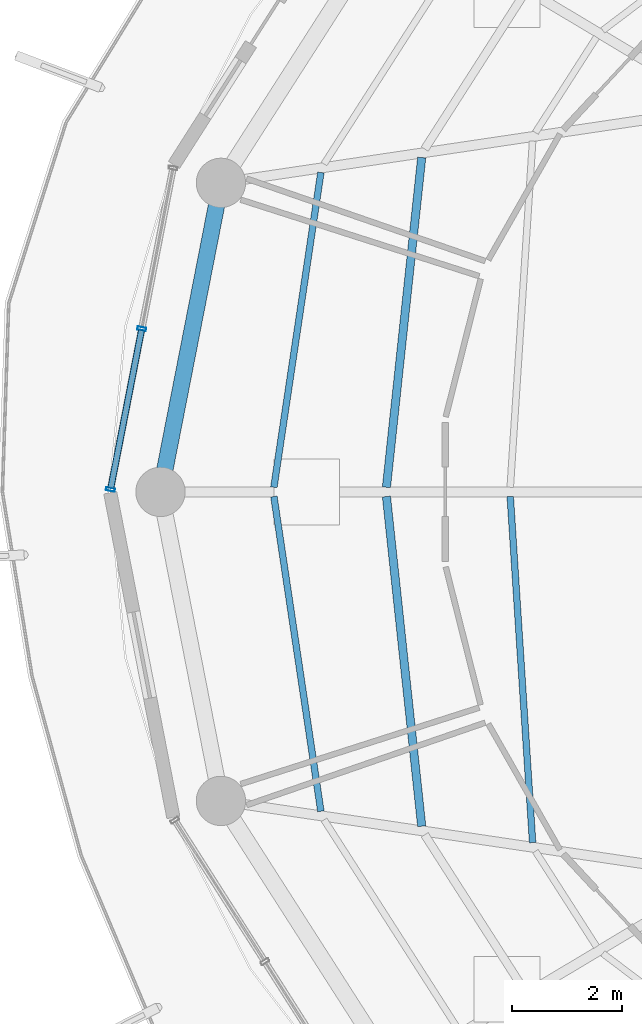
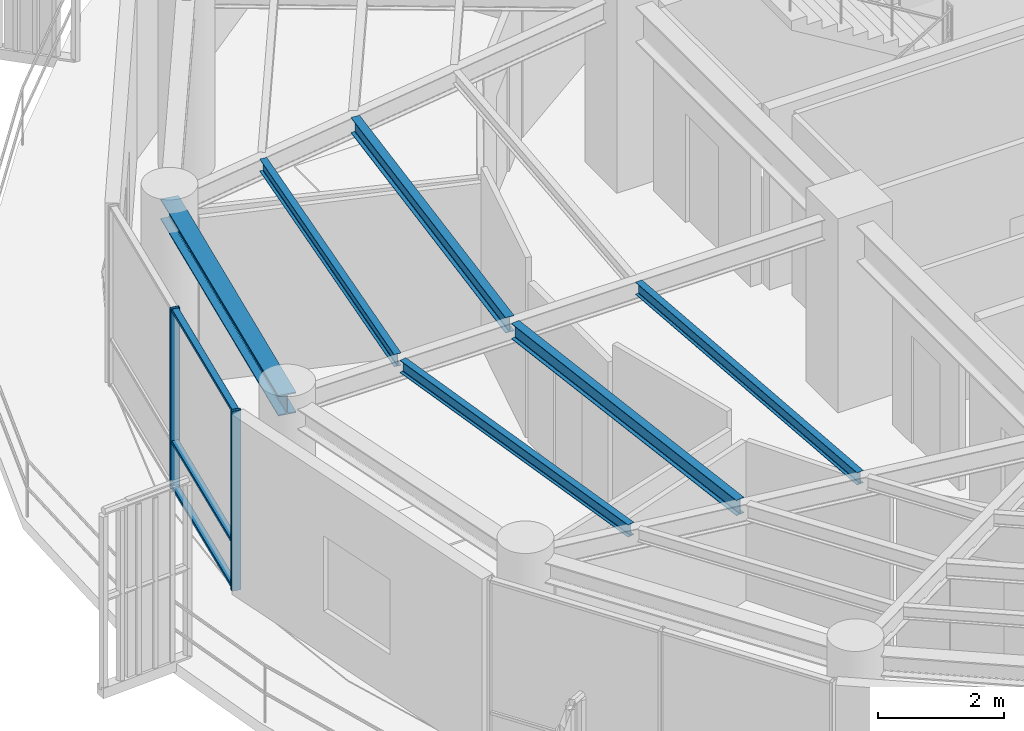
# One storey, part 6 of 23: 6 beams, 5 members, 1 element without a shape of its own.
"""IFC4 building model written with IfcOpenShell, lengths in metres."""

from ifc_helpers import new_model, si_unit, direction, frame, origin, origin_2d, place, context, subcontext, project, spatial, hollow_rectangle, i_section, extrude, material, layer, layer_set, material_profile, profile_set, type_object, element, aggregate, save


model = new_model("IFC4")

# Units and contexts
model_context = context("Model", 3, precision=1e-05, world=origin(), true_north=direction((0.0, 1.0)))
body_context = subcontext(model_context, "Body", "Model", "MODEL_VIEW")
ifc_project = project(units=[si_unit("LENGTHUNIT", "METRE"), si_unit("AREAUNIT", "SQUARE_METRE"), si_unit("VOLUMEUNIT", "CUBIC_METRE"), si_unit("PLANEANGLEUNIT", "RADIAN"), si_unit("MASSUNIT", "GRAM", prefix="KILO")], contexts=[model_context])

# Site, building, storey
site_placement = place(None, origin())
site = spatial("IfcSite", under=ifc_project, at=site_placement, CompositionType="ELEMENT")
building_placement = place(site_placement, origin())
building = spatial("IfcBuilding", under=site, at=building_placement, Name="Kelanora Arch Commons", CompositionType="ELEMENT")
storey_placement = place(building_placement, frame((0.0, 0.0, 256.199951171875)))
storey = spatial("IfcBuildingStorey", under=building, at=storey_placement, Name="L65", CompositionType="ELEMENT", Elevation=256.199951171875)

# Beams
ifc_material_1 = material(Name="Steel S355", Category="steel")
ifc_material_profile_1 = material_profile(ifc_material_1, i_section(OverallWidth=0.14990234375, OverallDepth=0.300048828125, WebThickness=0.007080078125, FlangeThickness=0.0107421875, FilletRadius=0.014892578125, at=origin_2d()), Name="IPE300")
ifc_profile_set_1 = profile_set([ifc_material_profile_1], Name="Steel S355")
beam_type_1 = type_object("IfcBeamType", Name="BM-JST-01", PredefinedType="JOIST", material=ifc_profile_set_1)
for number, where, z_axis, x_axis, name in (
    (1, (60.484375, 64.097412109375, 3.340087890625), (-0.106380594087, -0.994325484538, 0.0), (0.994325484538, -0.106380594087, 0.0), "Secondary Chord Joist BJB-16 L65"),
    (2, (59.841064453125, 57.91552734375, 3.340087890625), (0.106380594087, -0.994325484538, 0.0), (0.994325484538, 0.106380594087, 0.0), "Secondary Chord Joist BJB-18 L65"),
):
    element("IfcBeam", number, at=place(storey_placement, frame(where, z_axis=z_axis, x_axis=x_axis)), inside=storey, type_object=beam_type_1, Name=name, PredefinedType="JOIST", context=body_context, shape_type="SweptSolid", body=[
        extrude(i_section(OverallWidth=0.14990234375, OverallDepth=0.300048828125, WebThickness=0.007080078125, FlangeThickness=0.0107421875, FilletRadius=0.014892578125, at=origin_2d()), origin(), (0.0, 0.0, 1.0), 6.04736328125),
    ])
ifc_material_profile_2 = material_profile(ifc_material_1, i_section(OverallWidth=0.1201171875, OverallDepth=0.239990234375, WebThickness=0.006103515625, FlangeThickness=0.009765625, FilletRadius=0.014892578125, at=origin_2d()), Name="IPE240")
ifc_profile_set_2 = profile_set([ifc_material_profile_2], Name="Steel S355")
beam_type_2 = type_object("IfcBeamType", Name="BM-JST-02", PredefinedType="JOIST", material=ifc_profile_set_2)
beam_1_placement = place(storey_placement, frame((58.6455078125, 63.8251953125, 3.3701171875), z_axis=(-0.14762470282, -0.989043450571, 0.0), x_axis=(0.989043450571, -0.14762470282, 0.0)))
element("IfcBeam", 3, at=beam_1_placement, inside=storey, type_object=beam_type_2, Name="Secondary Chord Joist BJC-16 L65", PredefinedType="JOIST", context=body_context, shape_type="SweptSolid", body=[
    extrude(i_section(OverallWidth=0.1201171875, OverallDepth=0.239990234375, WebThickness=0.006103515625, FlangeThickness=0.009765625, FilletRadius=0.014892578125, at=origin_2d()), origin(), (0.0, 0.0, 1.0), 5.804931640625),
])
beam_2_placement = place(storey_placement, frame((62.09912109375, 57.915283203125, 3.3701171875), z_axis=(0.064495107978, -0.99791802321, 0.0), x_axis=(0.99791802321, 0.064495107978, 0.0)))
element("IfcBeam", 4, at=beam_2_placement, inside=storey, type_object=beam_type_2, Name="Secondary Chord Joist BJA-18 L65", PredefinedType="JOIST", context=body_context, shape_type="SweptSolid", body=[
    extrude(i_section(OverallWidth=0.1201171875, OverallDepth=0.239990234375, WebThickness=0.006103515625, FlangeThickness=0.009765625, FilletRadius=0.014892578125, at=origin_2d()), origin(), (0.0, 0.0, 1.0), 6.325439453125),
])
beam_3_placement = place(storey_placement, frame((57.78857421875, 57.916015625, 3.3701171875), z_axis=(0.14762470282, -0.989043450571, 0.0), x_axis=(0.989043450571, 0.14762470282, 0.0)))
element("IfcBeam", 5, at=beam_3_placement, inside=storey, type_object=beam_type_2, Name="Secondary Chord Joist BJC-18 L65", PredefinedType="JOIST", context=body_context, shape_type="SweptSolid", body=[
    extrude(i_section(OverallWidth=0.1201171875, OverallDepth=0.239990234375, WebThickness=0.006103515625, FlangeThickness=0.009765625, FilletRadius=0.014892578125, at=origin_2d()), origin(), (0.0, 0.0, 1.0), 5.804931640625),
])
ifc_material_profile_3 = material_profile(ifc_material_1, i_section(OverallWidth=0.300048828125, OverallDepth=0.39990234375, WebThickness=0.013427734375, FlangeThickness=0.02392578125, FilletRadius=0.027099609375, at=origin_2d()), Name="HEB400")
ifc_profile_set_3 = profile_set([ifc_material_profile_3], Name="Steel S355")
beam_type_3 = type_object("IfcBeamType", Name="BM-SPN-Z4", PredefinedType="SPANDREL", material=ifc_profile_set_3)
beam_4_placement = place(storey_placement, frame((56.822509765625, 63.636474609375, 3.2900390625), z_axis=(-0.191969774604, -0.981400838413, 0.0), x_axis=(0.981400838413, -0.191969774604, 0.0)))
element("IfcBeam", 6, at=beam_4_placement, inside=storey, type_object=beam_type_3, Name="Perimeter Spandrel Beam BS-16 L65", PredefinedType="SPANDREL", context=body_context, shape_type="SweptSolid", body=[
    extrude(i_section(OverallWidth=0.300048828125, OverallDepth=0.39990234375, WebThickness=0.013427734375, FlangeThickness=0.02392578125, FilletRadius=0.027099609375, at=origin_2d()), origin(), (0.0, 0.0, 1.0), 5.743408203125),
])

# Curtain wall, members
ifc_material_2 = material(Name="Terracotta ceramic-fritted low-E glass and aluminium", Category="masonry")
ifc_layer = layer(ifc_material_2, 0.18994140625)
ifc_layer_set = layer_set([ifc_layer], Name="Terracotta ceramic-fritted low-E glass and aluminium")
curtain_wall_type = type_object("IfcCurtainWallType", Name="CW-SYS-03", PredefinedType="NOTDEFINED", material=ifc_layer_set)
curtain_wall_placement = place(storey_placement, origin())
curtain_wall = element("IfcCurtainWall", 7, at=curtain_wall_placement, inside=storey, type_object=curtain_wall_type, Name="Unitised Curtain Wall L65-B08", PredefinedType="NOTDEFINED")
ifc_material_3 = material(Name="Powder-coated aluminium terracotta", Category="masonry")
ifc_material_profile_4 = material_profile(ifc_material_3, hollow_rectangle(XDim=0.159912109375, YDim=0.06005859375, WallThickness=0.0048828125, InnerFilletRadius=0.0048828125, OuterFilletRadius=0.010009765625, at=origin_2d()), Name="CWM160x60")
ifc_profile_set_4 = profile_set([ifc_material_profile_4], Name="Powder-coated aluminium terracotta")
member_type_1 = type_object("IfcMemberType", Name="CWM-STD", PredefinedType="MULLION", material=ifc_profile_set_4)
member_1_placement = place(storey_placement, frame((55.37890625, 60.9755859375, 0.0), z_axis=(0.0, 0.0, 1.0), x_axis=(0.981595542501, -0.190971701941, 0.0)))
member_1 = element("IfcMember", 8, at=member_1_placement, type_object=member_type_1, Name="CW-03 mullion 2", PredefinedType="MULLION", context=body_context, shape_type="SweptSolid", body=[
    extrude(hollow_rectangle(XDim=0.159912109375, YDim=0.06005859375, WallThickness=0.0048828125, InnerFilletRadius=0.0048828125, OuterFilletRadius=0.010009765625, at=origin_2d()), origin(), (0.0, 0.0, 1.0), 3.47509765625),
])
member_2_placement = place(storey_placement, frame((54.80859375, 58.044189453125, 0.0), z_axis=(0.0, 0.0, 1.0), x_axis=(0.981595542501, -0.190971701941, 0.0)))
member_2 = element("IfcMember", 9, at=member_2_placement, type_object=member_type_1, Name="CW-03 mullion 3", PredefinedType="MULLION", context=body_context, shape_type="SweptSolid", body=[
    extrude(hollow_rectangle(XDim=0.159912109375, YDim=0.06005859375, WallThickness=0.0048828125, InnerFilletRadius=0.0048828125, OuterFilletRadius=0.010009765625, at=origin_2d()), origin(), (0.0, 0.0, 1.0), 3.47509765625),
])
ifc_material_profile_5 = material_profile(ifc_material_3, hollow_rectangle(XDim=0.1201171875, YDim=0.06005859375, WallThickness=0.0048828125, InnerFilletRadius=0.0048828125, OuterFilletRadius=0.010009765625, at=origin_2d()), Name="CWT120x60")
ifc_profile_set_5 = profile_set([ifc_material_profile_5], Name="Powder-coated aluminium terracotta")
member_type_2 = type_object("IfcMemberType", Name="CWT-STD", PredefinedType="USERDEFINED", material=ifc_profile_set_5)
member_3_placement = place(storey_placement, frame((55.373291015625, 60.946044921875, 0.030029296875), z_axis=(-0.190963443354, -0.981597149192, 0.0), x_axis=(0.981597149192, -0.190963443354, 0.0)))
member_3 = element("IfcMember", 10, at=member_3_placement, type_object=member_type_2, Name="CW-03 transom 2.1", ObjectType="TRANSOM", PredefinedType="USERDEFINED", context=body_context, shape_type="SweptSolid", body=[
    extrude(hollow_rectangle(XDim=0.1201171875, YDim=0.06005859375, WallThickness=0.0048828125, InnerFilletRadius=0.0048828125, OuterFilletRadius=0.010009765625, at=origin_2d()), origin(), (0.0, 0.0, 1.0), 2.926513671875),
])
member_4_placement = place(storey_placement, frame((55.373291015625, 60.946044921875, 0.900146484375), z_axis=(-0.190963443354, -0.981597149192, 0.0), x_axis=(0.981597149192, -0.190963443354, 0.0)))
member_4 = element("IfcMember", 11, at=member_4_placement, type_object=member_type_2, Name="CW-03 transom 2.2", ObjectType="TRANSOM", PredefinedType="USERDEFINED", context=body_context, shape_type="SweptSolid", body=[
    extrude(hollow_rectangle(XDim=0.1201171875, YDim=0.06005859375, WallThickness=0.0048828125, InnerFilletRadius=0.0048828125, OuterFilletRadius=0.010009765625, at=origin_2d()), origin(), (0.0, 0.0, 1.0), 2.926513671875),
])
member_5_placement = place(storey_placement, frame((55.373291015625, 60.946044921875, 3.445068359375), z_axis=(-0.190963443354, -0.981597149192, 0.0), x_axis=(0.981597149192, -0.190963443354, 0.0)))
member_5 = element("IfcMember", 12, at=member_5_placement, type_object=member_type_2, Name="CW-03 transom 2.3", ObjectType="TRANSOM", PredefinedType="USERDEFINED", context=body_context, shape_type="SweptSolid", body=[
    extrude(hollow_rectangle(XDim=0.1201171875, YDim=0.06005859375, WallThickness=0.0048828125, InnerFilletRadius=0.0048828125, OuterFilletRadius=0.010009765625, at=origin_2d()), origin(), (0.0, 0.0, 1.0), 2.926513671875),
])
aggregate(curtain_wall, [member_1, member_2, member_3, member_4, member_5])

save(model, "model.ifc")
